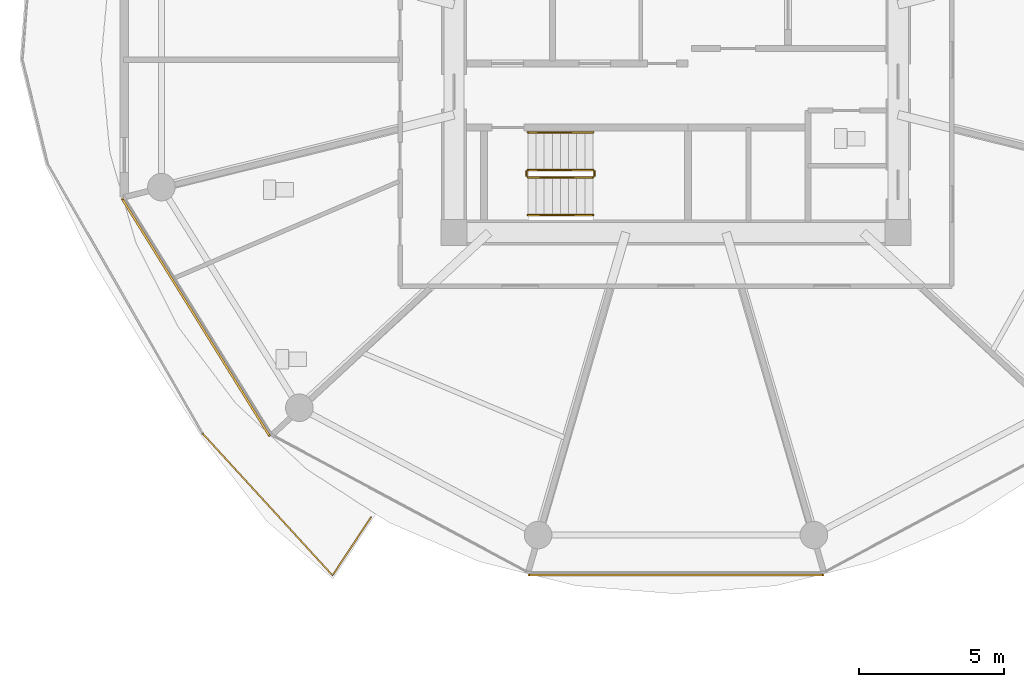
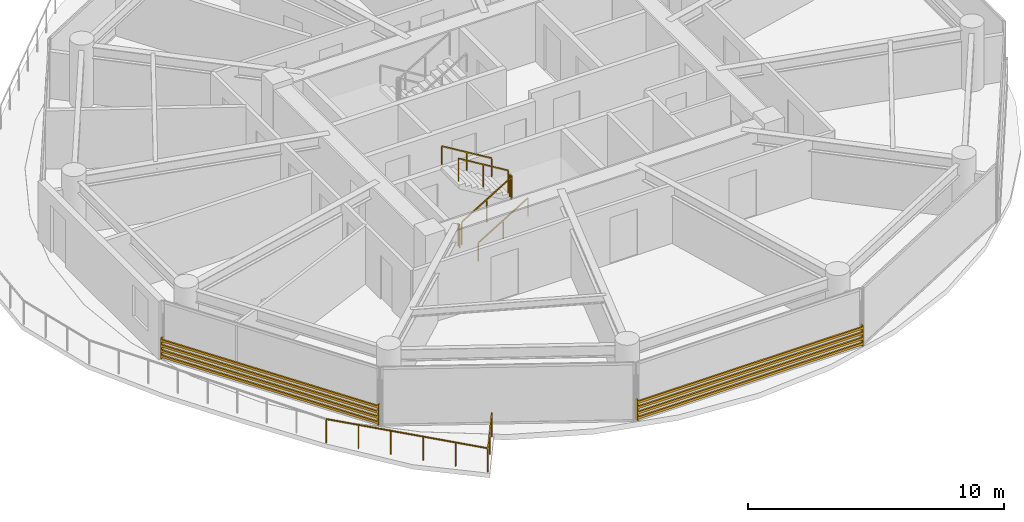
# One storey, part 22 of 27: 7 railings, 2 shading devices.
"""IFC4 building model written with IfcOpenShell, lengths in metres."""

import ifcopenshell
import ifcopenshell.guid

model = None  # the IFC model being written
_history = None  # IfcOwnerHistory: only IFC2X3 demands one
_inside = {}  # id of a spatial element -> (the spatial element, [elements in it])
_under = {}  # id of a project, library or spatial element -> (it, [spatial elements below it])
_declared = {}  # id of a project -> (the project, [libraries it declares])
_typed = {}  # id of a type object -> (the type object, [elements of that type])
_made_of = {}  # id of a material, layer set ... -> (it, [elements and type objects made of it])


def new_model(schema):
    """Start an empty IFC model of exactly this schema.

    Asked for "IFC4X3", IfcOpenShell would pick the latest addendum, in which some entities
    have other attributes; the version numbers below select the first issue.
    IFC2X3 requires an IfcOwnerHistory on every rooted entity: one is made here for all.
    """
    global model, _history
    if schema == "IFC4X3":
        model = ifcopenshell.file(schema_version=(4, 3, 0, 0))
    else:
        model = ifcopenshell.file(schema=schema)
    _inside.clear()
    _under.clear()
    _declared.clear()
    _typed.clear()
    _made_of.clear()
    _history = None
    if model.schema == "IFC2X3":
        org = make("IfcOrganization", Name="unknown")
        user = make(
            "IfcPersonAndOrganization",
            ThePerson=make("IfcPerson", FamilyName="unknown"),
            TheOrganization=org,
        )
        app = make(
            "IfcApplication",
            ApplicationDeveloper=org,
            Version="unknown",
            ApplicationFullName="unknown",
            ApplicationIdentifier="unknown",
        )
        _history = make(
            "IfcOwnerHistory",
            OwningUser=user,
            OwningApplication=app,
            ChangeAction="ADDED",
            CreationDate=0,
        )
    return model


def make(cls, **values):
    """One entity of the class cls with the attributes given. An attribute that is None is left unset."""
    return model.create_entity(
        cls, **{name: value for name, value in values.items() if value is not None}
    )


def rooted(cls, **values):
    """An entity with a GlobalId (a new one), such as an element, a storey or a relation."""
    return make(cls, GlobalId=ifcopenshell.guid.new(), OwnerHistory=_history, **values)


def si_unit(unit_type, name, prefix=None):
    """IfcSIUnit, for example si_unit("LENGTHUNIT", "METRE", prefix="MILLI")."""
    return make("IfcSIUnit", UnitType=unit_type, Prefix=prefix, Name=name)


def assignment(units):
    """IfcUnitAssignment: the units of a project."""
    return None if units is None else make("IfcUnitAssignment", Units=units)


def point(xyz):
    """IfcCartesianPoint."""
    return None if xyz is None else make("IfcCartesianPoint", Coordinates=xyz)


def direction(xyz):
    """IfcDirection."""
    return None if xyz is None else make("IfcDirection", DirectionRatios=xyz)


def frame(location, z_axis=None, x_axis=None):
    """IfcAxis2Placement3D, a coordinate frame: its origin and axes. An axis left out is left unset."""
    return make(
        "IfcAxis2Placement3D",
        Location=point(location),
        Axis=direction(z_axis),
        RefDirection=direction(x_axis),
    )


def frame_2d(location, x_axis=None):
    """IfcAxis2Placement2D, a coordinate frame in the plane: its origin and x axis."""
    return make(
        "IfcAxis2Placement2D", Location=point(location), RefDirection=direction(x_axis)
    )


def origin():
    """The frame at (0, 0, 0) with its axes left unset."""
    return frame((0.0, 0.0, 0.0))


def origin_2d():
    """The frame at (0, 0) in the plane with its x axis left unset."""
    return frame_2d((0.0, 0.0))


def place(relative_to, where):
    """IfcLocalPlacement: puts the frame where relative to a parent placement (None: the world)."""
    return make(
        "IfcLocalPlacement", PlacementRelTo=relative_to, RelativePlacement=where
    )


def context(
    kind, dimensions, precision=None, world=None, true_north=None, identifier=None
):
    """IfcGeometricRepresentationContext, for example the 3D "Model" context."""
    return make(
        "IfcGeometricRepresentationContext",
        ContextIdentifier=identifier,
        ContextType=kind,
        CoordinateSpaceDimension=dimensions,
        Precision=precision,
        WorldCoordinateSystem=world,
        TrueNorth=true_north,
    )


def subcontext(parent, identifier, kind, view, scale=None):
    """IfcGeometricRepresentationSubContext, for example "Body" below "Model"."""
    return make(
        "IfcGeometricRepresentationSubContext",
        ContextIdentifier=identifier,
        ContextType=kind,
        ParentContext=parent,
        TargetScale=scale,
        TargetView=view,
    )


def project(units=None, contexts=None):
    """IfcProject with its units and contexts."""
    return rooted(
        "IfcProject",
        Name="project",
        RepresentationContexts=contexts,
        UnitsInContext=assignment(units),
    )


def spatial(cls, under=None, at=None, **own):
    """A site, building, storey or space (cls), placed at a placement, below another one or the project."""
    s = rooted(cls, ObjectPlacement=at, **own)
    if under is not None:
        _under.setdefault(under.id(), (under, []))[1].append(s)
    return s


def profile(cls, at=None, kind="AREA", **sizes):
    """A parametric profile (cls). Its sizes go by their IFC names, for example OverallWidth=200.0."""
    return make(cls, ProfileType=kind, Position=at, **sizes)


def rectangle(**sizes):
    """IfcRectangleProfileDef."""
    return profile("IfcRectangleProfileDef", **sizes)


def extrude(swept, where, along, depth):
    """IfcExtrudedAreaSolid: the profile swept, set in the frame where, extruded along a direction by depth."""
    return make(
        "IfcExtrudedAreaSolid",
        SweptArea=swept,
        Position=where,
        ExtrudedDirection=direction(along),
        Depth=depth,
    )


def shape(context_of_items, identifier, shape_type, items):
    """IfcShapeRepresentation: the items that make up one representation, for example the "Body"."""
    return make(
        "IfcShapeRepresentation",
        ContextOfItems=context_of_items,
        RepresentationIdentifier=identifier,
        RepresentationType=shape_type,
        Items=items,
    )


def source(mapping_origin, context_of_items, identifier, shape_type, items):
    """IfcRepresentationMap: a shape defined once, which mapped items show again and again."""
    return make(
        "IfcRepresentationMap",
        MappingOrigin=mapping_origin,
        MappedRepresentation=shape(context_of_items, identifier, shape_type, items),
    )


def transform(
    local_origin,
    x_axis=None,
    y_axis=None,
    z_axis=None,
    scale=None,
    scale2=None,
    scale3=None,
    uniform=True,
):
    """IfcCartesianTransformationOperator3D, or its non-uniform kind. x_axis, y_axis, z_axis: its Axis1, 2, 3."""
    if uniform:
        return make(
            "IfcCartesianTransformationOperator3D",
            Axis1=direction(x_axis),
            Axis2=direction(y_axis),
            LocalOrigin=point(local_origin),
            Scale=scale,
            Axis3=direction(z_axis),
        )
    return make(
        "IfcCartesianTransformationOperator3DnonUniform",
        Axis1=direction(x_axis),
        Axis2=direction(y_axis),
        LocalOrigin=point(local_origin),
        Scale=scale,
        Axis3=direction(z_axis),
        Scale2=scale2,
        Scale3=scale3,
    )


def mapped(mapping_source, mapping_target):
    """IfcMappedItem: shows the shape of a source again, moved by a transform."""
    return make(
        "IfcMappedItem", MappingSource=mapping_source, MappingTarget=mapping_target
    )


def material(Name=None, Category=None):
    """IfcMaterial."""
    return make("IfcMaterial", Name=Name, Category=Category)


def made_of(thing, what):
    """Note that an element or type object is made of a material, layer set ...; save() writes the relation."""
    if what is not None:
        _made_of.setdefault(what.id(), (what, []))[1].append(thing)
    return thing


def type_object(cls, material=None, **own):
    """A type object (cls), such as IfcWallType, which elements share."""
    return made_of(rooted(cls, **own), material)


def type_shapes(of_type, sources):
    """Give a type object the sources (RepresentationMaps) that its elements show as mapped items."""
    of_type.RepresentationMaps = sources


def element(
    cls,
    number,
    at=None,
    inside=None,
    cuts=None,
    type_object=None,
    material=None,
    context=None,
    identifier="Body",
    shape_type=None,
    held_by="IfcProductDefinitionShape",
    body=None,
    shapes=None,
    **own,
):
    """One element of the class cls, such as IfcWall. Its Tag is "e" and its number.

    at: its placement. inside: the storey or other place that contains it. cuts: it is an
    opening in that element (IfcRelVoidsElement). A single representation is given by context,
    identifier, shape_type and body (its items); several are given by shapes. held_by: the class
    of the entity that holds the representations. save() writes the other relations.
    """
    e = rooted(cls, Tag="e%d" % number, ObjectPlacement=at, **own)
    if body is not None:
        shapes = [shape(context, identifier, shape_type, body)]
    if shapes is not None:
        e.Representation = make(held_by, Representations=shapes)
    if inside is not None:
        _inside.setdefault(inside.id(), (inside, []))[1].append(e)
    if cuts is not None:
        rooted(
            "IfcRelVoidsElement", RelatingBuildingElement=cuts, RelatedOpeningElement=e
        )
    if type_object is not None:
        _typed.setdefault(type_object.id(), (type_object, []))[1].append(e)
    return made_of(e, material)


def aggregate(whole, parts):
    """IfcRelAggregates: a whole, such as a stair, and the parts it consists of."""
    return rooted("IfcRelAggregates", RelatingObject=whole, RelatedObjects=parts)


def save(model, path):
    """Write the relations noted so far, then the file.

    IfcRelAggregates (storeys below a building ...), IfcRelContainedInSpatialStructure (elements
    in a storey), IfcRelDefinesByType, IfcRelAssociatesMaterial and IfcRelDeclares: one each for
    every whole, place, type object, material and project.
    """
    for whole, parts in _under.values():
        aggregate(whole, parts)
    for where, things in _inside.values():
        rooted(
            "IfcRelContainedInSpatialStructure",
            RelatedElements=things,
            RelatingStructure=where,
        )
    for kind, things in _typed.values():
        rooted("IfcRelDefinesByType", RelatedObjects=things, RelatingType=kind)
    for what, things in _made_of.values():
        rooted("IfcRelAssociatesMaterial", RelatedObjects=things, RelatingMaterial=what)
    for by, libraries in _declared.values():
        rooted("IfcRelDeclares", RelatingContext=by, RelatedDefinitions=libraries)
    model.write(path)


model = new_model("IFC4")

# Units and contexts
model_context = context("Model", 3, precision=1e-05, world=origin(), true_north=direction((0.0, 1.0)))
body_context = subcontext(model_context, "Body", "Model", "MODEL_VIEW")
ifc_project = project(units=[si_unit("LENGTHUNIT", "METRE"), si_unit("AREAUNIT", "SQUARE_METRE"), si_unit("VOLUMEUNIT", "CUBIC_METRE"), si_unit("PLANEANGLEUNIT", "RADIAN"), si_unit("MASSUNIT", "GRAM", prefix="KILO")], contexts=[model_context])

# Site, building, storey
site_placement = place(None, origin())
site = spatial("IfcSite", under=ifc_project, at=site_placement, CompositionType="ELEMENT")
building_placement = place(site_placement, origin())
building = spatial("IfcBuilding", under=site, at=building_placement, Name="Norrkilde Senior Care Towers", CompositionType="ELEMENT")
storey_placement = place(building_placement, frame((0.0, 0.0, 36.85009765625)))
storey = spatial("IfcBuildingStorey", under=building, at=storey_placement, Name="L10", CompositionType="ELEMENT", Elevation=36.85009765625)

# Railings
ifc_material_1 = material(Name="Anodised Aluminium", Category="aluminium")
railing_type_1 = type_object("IfcRailingType", Name="Balcony Swirl Ribbon Guardrail 1150", PredefinedType="GUARDRAIL", material=ifc_material_1)
railing_1_placement = place(storey_placement, frame((-38.505859375, -15.75537109375, 0.0)))
element("IfcRailing", 1, at=railing_1_placement, inside=storey, type_object=railing_type_1, Name="L10 Perimeter Safety Guard 04", PredefinedType="GUARDRAIL", context=body_context, shape_type="SweptSolid", body=[
    extrude(rectangle(XDim=0.048095703125, YDim=0.048095703125, at=origin_2d()), frame((0.0, 0.0, 1.1259765625), z_axis=(-0.551274933407, -0.834323646913, 0.0), x_axis=(0.834323646913, -0.551274933407, 0.0)), (0.0, 0.0, 1.0), 2.36376953125),
    extrude(rectangle(XDim=0.048095703125, YDim=0.048095703125, at=origin_2d()), frame((-1.353271484375, -1.976318359375, 1.1259765625), z_axis=(-0.675347728374, 0.737499454766, 0.0), x_axis=(-0.737499454766, -0.675347728374, 0.0)), (0.0, 0.0, 1.0), 6.58984375),
    extrude(rectangle(XDim=0.0419921875, YDim=0.0419921875, at=origin_2d()), origin(), (0.0, 0.0, 1.0), 1.099853515625),
    extrude(rectangle(XDim=0.0419921875, YDim=0.0419921875, at=origin_2d()), frame((-0.662841796875, -1.003173828125, 0.0)), (0.0, 0.0, 1.0), 1.099853515625),
    extrude(rectangle(XDim=0.0419921875, YDim=0.0419921875, at=origin_2d()), frame((-1.32568359375, -2.00634765625, 0.0)), (0.0, 0.0, 1.0), 1.099853515625),
    extrude(rectangle(XDim=0.0419921875, YDim=0.0419921875, at=origin_2d()), frame((-2.22119140625, -1.0283203125, 0.0)), (0.0, 0.0, 1.0), 1.099853515625),
    extrude(rectangle(XDim=0.0419921875, YDim=0.0419921875, at=origin_2d()), frame((-3.116943359375, -0.05029296875, 0.0)), (0.0, 0.0, 1.0), 1.099853515625),
    extrude(rectangle(XDim=0.0419921875, YDim=0.0419921875, at=origin_2d()), frame((-4.012451171875, 0.927734375, 0.0)), (0.0, 0.0, 1.0), 1.099853515625),
    extrude(rectangle(XDim=0.0419921875, YDim=0.0419921875, at=origin_2d()), frame((-4.908203125, 1.90576171875, 0.0)), (0.0, 0.0, 1.0), 1.099853515625),
    extrude(rectangle(XDim=0.0419921875, YDim=0.0419921875, at=origin_2d()), frame((-5.8037109375, 2.8837890625, 0.0)), (0.0, 0.0, 1.0), 1.099853515625),
])
ifc_material_2 = material(Name="Stainless Steel", Category="steel")
railing_type_2 = type_object("IfcRailingType", Name="Stair and Terrace Guardrail 1100", PredefinedType="GUARDRAIL", material=ifc_material_2)
railing_2_placement = place(storey_placement, frame((-33.10009765625, -4.050048828125, 0.16943359375)))
element("IfcRailing", 2, at=railing_2_placement, inside=storey, type_object=railing_type_2, Name="L10 ST-W2 stair guard 1", PredefinedType="GUARDRAIL", context=body_context, shape_type="SweptSolid", body=[
    extrude(rectangle(XDim=0.048095703125, YDim=0.048095703125, at=origin_2d()), frame((0.0, 0.0, 1.076171875), z_axis=(0.855553338991, 0.0, 0.51771467445), x_axis=(0.0, 1.0, 0.0)), (0.0, 0.0, 1.0), 2.6181640625),
    extrude(rectangle(XDim=0.0419921875, YDim=0.0419921875, at=origin_2d()), origin(), (0.0, 0.0, 1.0), 1.050048828125),
    extrude(rectangle(XDim=0.0419921875, YDim=0.0419921875, at=origin_2d()), frame((1.1201171875, 0.0, 0.677734375)), (0.0, 0.0, 1.0), 1.050048828125),
    extrude(rectangle(XDim=0.0419921875, YDim=0.0419921875, at=origin_2d()), frame((2.239990234375, 0.0, 1.35546875)), (0.0, 0.0, 1.0), 1.050048828125),
])
railing_3_placement = place(storey_placement, frame((-30.81005859375, -4.0, 1.52490234375)))
element("IfcRailing", 3, at=railing_3_placement, inside=storey, type_object=railing_type_2, Name="L10 ST-W2 stair guard 2", PredefinedType="GUARDRAIL", context=body_context, shape_type="SweptSolid", body=[
    extrude(rectangle(XDim=0.048095703125, YDim=0.048095703125, at=origin_2d()), frame((0.0, 0.0, 1.076171875), z_axis=(0.0, 1.0, 0.0), x_axis=(-1.0, 0.0, 0.0)), (0.0, 0.0, 1.0), 0.14990234375),
    extrude(rectangle(XDim=0.0419921875, YDim=0.0419921875, at=origin_2d()), origin(), (0.0, 0.0, 1.0), 1.050048828125),
    extrude(rectangle(XDim=0.0419921875, YDim=0.0419921875, at=origin_2d()), frame((0.0, 0.14990234375, 0.0)), (0.0, 0.0, 1.0), 1.050048828125),
])
railing_4_placement = place(storey_placement, frame((-30.860107421875, -3.800048828125, 1.6943359375)))
element("IfcRailing", 4, at=railing_4_placement, inside=storey, type_object=railing_type_2, Name="L10 ST-W2 stair guard 3", PredefinedType="GUARDRAIL", context=body_context, shape_type="SweptSolid", body=[
    extrude(rectangle(XDim=0.048095703125, YDim=0.048095703125, at=origin_2d()), frame((0.0, 0.0, 1.076171875), z_axis=(-0.855553338991, 0.0, 0.51771467445), x_axis=(0.0, -1.0, 0.0)), (0.0, 0.0, 1.0), 2.6181640625),
    extrude(rectangle(XDim=0.0419921875, YDim=0.0419921875, at=origin_2d()), origin(), (0.0, 0.0, 1.0), 1.050048828125),
    extrude(rectangle(XDim=0.0419921875, YDim=0.0419921875, at=origin_2d()), frame((-1.1201171875, 0.0, 0.677734375)), (0.0, 0.0, 1.0), 1.050048828125),
    extrude(rectangle(XDim=0.0419921875, YDim=0.0419921875, at=origin_2d()), frame((-2.239990234375, 0.0, 1.35546875)), (0.0, 0.0, 1.0), 1.050048828125),
])
railing_5_placement = place(storey_placement, frame((-33.14990234375, -4.0, 0.0)))
element("IfcRailing", 5, at=railing_5_placement, inside=storey, type_object=railing_type_2, Name="L10 ST-W2 stair guard 4", PredefinedType="GUARDRAIL", context=body_context, shape_type="SweptSolid", body=[
    extrude(rectangle(XDim=0.048095703125, YDim=0.048095703125, at=origin_2d()), frame((0.0, 0.0, 1.076171875), z_axis=(0.0, 1.0, 0.0), x_axis=(-1.0, 0.0, 0.0)), (0.0, 0.0, 1.0), 0.14990234375),
    extrude(rectangle(XDim=0.0419921875, YDim=0.0419921875, at=origin_2d()), origin(), (0.0, 0.0, 1.0), 1.050048828125),
    extrude(rectangle(XDim=0.0419921875, YDim=0.0419921875, at=origin_2d()), frame((0.0, 0.14990234375, 0.0)), (0.0, 0.0, 1.0), 1.050048828125),
])
ifc_material_3 = material(Name="Nordic Ash Timber", Category="wood")
railing_type_3 = type_object("IfcRailingType", Name="Wall and Stair Handrail 900", PredefinedType="HANDRAIL", material=ifc_material_3)
railing_6_placement = place(storey_placement, frame((-33.10009765625, -5.35009765625, 0.16943359375)))
element("IfcRailing", 6, at=railing_6_placement, inside=storey, type_object=railing_type_3, Name="L10 ST-W2 stair handrail 1", PredefinedType="HANDRAIL", context=body_context, shape_type="SweptSolid", body=[
    extrude(rectangle(XDim=0.048095703125, YDim=0.048095703125, at=origin_2d()), frame((0.0, 0.0, 0.8759765625), z_axis=(0.855553338991, 0.0, 0.51771467445), x_axis=(0.0, 1.0, 0.0)), (0.0, 0.0, 1.0), 2.6181640625),
    extrude(rectangle(XDim=0.0419921875, YDim=0.0419921875, at=origin_2d()), origin(), (0.0, 0.0, 1.0), 0.849853515625),
    extrude(rectangle(XDim=0.0419921875, YDim=0.0419921875, at=origin_2d()), frame((1.1201171875, 0.0, 0.677734375)), (0.0, 0.0, 1.0), 0.849853515625),
    extrude(rectangle(XDim=0.0419921875, YDim=0.0419921875, at=origin_2d()), frame((2.239990234375, 0.0, 1.35546875)), (0.0, 0.0, 1.0), 0.849853515625),
])
railing_7_placement = place(storey_placement, frame((-30.860107421875, -2.5, 1.6943359375)))
element("IfcRailing", 7, at=railing_7_placement, inside=storey, type_object=railing_type_3, Name="L10 ST-W2 stair handrail 2", PredefinedType="HANDRAIL", context=body_context, shape_type="SweptSolid", body=[
    extrude(rectangle(XDim=0.048095703125, YDim=0.048095703125, at=origin_2d()), frame((0.0, 0.0, 0.8759765625), z_axis=(-0.855553338991, 0.0, 0.51771467445), x_axis=(0.0, -1.0, 0.0)), (0.0, 0.0, 1.0), 2.6181640625),
    extrude(rectangle(XDim=0.0419921875, YDim=0.0419921875, at=origin_2d()), origin(), (0.0, 0.0, 1.0), 0.849853515625),
    extrude(rectangle(XDim=0.0419921875, YDim=0.0419921875, at=origin_2d()), frame((-1.1201171875, 0.0, 0.677734375)), (0.0, 0.0, 1.0), 0.849853515625),
    extrude(rectangle(XDim=0.0419921875, YDim=0.0419921875, at=origin_2d()), frame((-2.239990234375, 0.0, 1.35546875)), (0.0, 0.0, 1.0), 0.849853515625),
])

# Shading devices
ifc_material_4 = material(Name="Architectural Terracotta", Category="masonry")
shading_device_type = type_object("IfcShadingDeviceType", Name="Horizontal Terracotta Baguette Rack", PredefinedType="USERDEFINED", material=ifc_material_4)
shared_shape_1 = source(origin(), body_context, "Body", "SweptSolid", [
    extrude(rectangle(XDim=0.070068359375, YDim=0.110107421875, at=origin_2d()), frame((0.0, 0.090087890625, 0.125), z_axis=(1.0, 0.0, 0.0), x_axis=(0.0, 1.0, 0.0)), (0.0, 0.0, 1.0), 9.64892578125),
    extrude(rectangle(XDim=0.070068359375, YDim=0.110107421875, at=origin_2d()), frame((0.0, 0.090087890625, 0.375), z_axis=(1.0, 0.0, 0.0), x_axis=(0.0, 1.0, 0.0)), (0.0, 0.0, 1.0), 9.64892578125),
    extrude(rectangle(XDim=0.070068359375, YDim=0.110107421875, at=origin_2d()), frame((0.0, 0.090087890625, 0.625), z_axis=(1.0, 0.0, 0.0), x_axis=(0.0, 1.0, 0.0)), (0.0, 0.0, 1.0), 9.64892578125),
    extrude(rectangle(XDim=0.070068359375, YDim=0.110107421875, at=origin_2d()), frame((0.0, 0.090087890625, 0.875), z_axis=(1.0, 0.0, 0.0), x_axis=(0.0, 1.0, 0.0)), (0.0, 0.0, 1.0), 9.64892578125),
    extrude(rectangle(XDim=0.050048828125, YDim=0.1552734375, at=origin_2d()), frame((0.02490234375, 0.047607421875, 0.0)), (0.0, 0.0, 1.0), 1.0),
    extrude(rectangle(XDim=0.050048828125, YDim=0.1552734375, at=origin_2d()), frame((9.6240234375, 0.047607421875, 0.0)), (0.0, 0.0, 1.0), 1.0),
])
shading_device_1_placement = place(storey_placement, frame((-41.915771484375, -12.926025390625, 0.079833984375), z_axis=(0.0, 0.0, 1.0), x_axis=(-0.527908506655, 0.849299124538, 0.0)))
element("IfcShadingDevice", 8, at=shading_device_1_placement, inside=storey, type_object=shading_device_type, Name="L10 Drum W Terracotta Baguette Screen 06", ObjectType="BAGUETTE", PredefinedType="USERDEFINED", context=body_context, shape_type="MappedRepresentation", body=[
    mapped(shared_shape_1, transform((0.0, 0.0, 0.0), x_axis=(1.0, 0.0, 0.0), y_axis=(0.0, 1.0, 0.0), z_axis=(0.0, 0.0, 1.0), scale=1.0)),
])
shared_shape_2 = source(origin(), body_context, "Body", "SweptSolid", [
    extrude(rectangle(XDim=0.070068359375, YDim=0.110107421875, at=origin_2d()), frame((0.0, 0.090087890625, 0.125), z_axis=(1.0, 0.0, 0.0), x_axis=(0.0, 1.0, 0.0)), (0.0, 0.0, 1.0), 10.18701171875),
    extrude(rectangle(XDim=0.070068359375, YDim=0.110107421875, at=origin_2d()), frame((0.0, 0.090087890625, 0.375), z_axis=(1.0, 0.0, 0.0), x_axis=(0.0, 1.0, 0.0)), (0.0, 0.0, 1.0), 10.18701171875),
    extrude(rectangle(XDim=0.070068359375, YDim=0.110107421875, at=origin_2d()), frame((0.0, 0.090087890625, 0.625), z_axis=(1.0, 0.0, 0.0), x_axis=(0.0, 1.0, 0.0)), (0.0, 0.0, 1.0), 10.18701171875),
    extrude(rectangle(XDim=0.070068359375, YDim=0.110107421875, at=origin_2d()), frame((0.0, 0.090087890625, 0.875), z_axis=(1.0, 0.0, 0.0), x_axis=(0.0, 1.0, 0.0)), (0.0, 0.0, 1.0), 10.18701171875),
    extrude(rectangle(XDim=0.050048828125, YDim=0.1552734375, at=origin_2d()), frame((0.02490234375, 0.047607421875, 0.0)), (0.0, 0.0, 1.0), 1.0),
    extrude(rectangle(XDim=0.050048828125, YDim=0.1552734375, at=origin_2d()), frame((10.162109375, 0.047607421875, 0.0)), (0.0, 0.0, 1.0), 1.0),
])
type_shapes(shading_device_type, [shared_shape_1, shared_shape_2])
shading_device_2_placement = place(storey_placement, frame((-22.906494140625, -17.6572265625, 0.079833984375), z_axis=(0.0, 0.0, 1.0), x_axis=(-1.0, 0.0, 0.0)))
element("IfcShadingDevice", 9, at=shading_device_2_placement, inside=storey, type_object=shading_device_type, Name="L10 Drum W Terracotta Baguette Screen 08", ObjectType="BAGUETTE", PredefinedType="USERDEFINED", context=body_context, shape_type="MappedRepresentation", body=[
    mapped(shared_shape_2, transform((0.0, 0.0, 0.0), x_axis=(1.0, 0.0, 0.0), y_axis=(0.0, 1.0, 0.0), z_axis=(0.0, 0.0, 1.0), scale=1.0)),
])

save(model, "model.ifc")
